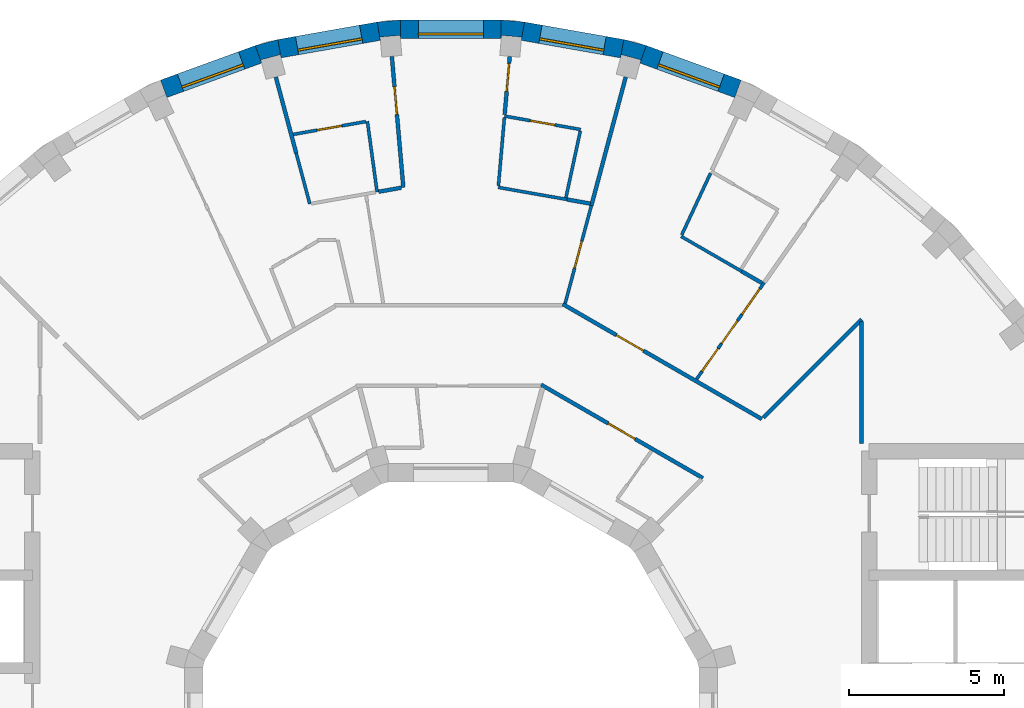
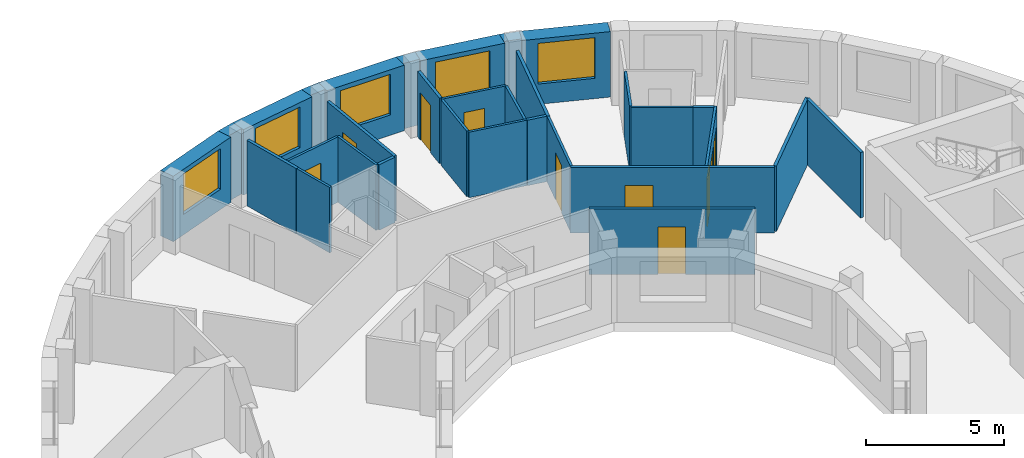
# One storey, part 8 of 10: 31 walls, 10 doors, 5 windows, 15 openings.
"""IFC4 building model written with IfcOpenShell, lengths in metres."""

from ifc_helpers import new_model, si_unit, direction, frame, frame_2d, origin, place, context, subcontext, project, spatial, polyline, rectangle, outline, extrude, material, layer, layer_set, type_object, element, fill, save


model = new_model("IFC4")

# Units and contexts
model_context = context("Model", 3, precision=1e-05, world=origin(), true_north=direction((0.0, 1.0)))
body_context = subcontext(model_context, "Body", "Model", "MODEL_VIEW")
ifc_project = project(units=[si_unit("LENGTHUNIT", "METRE"), si_unit("AREAUNIT", "SQUARE_METRE"), si_unit("VOLUMEUNIT", "CUBIC_METRE"), si_unit("PLANEANGLEUNIT", "RADIAN"), si_unit("MASSUNIT", "GRAM", prefix="KILO")], contexts=[model_context])

# Site, building, storey
site_placement = place(None, origin())
site = spatial("IfcSite", under=ifc_project, at=site_placement, CompositionType="ELEMENT")
building_placement = place(site_placement, origin())
building = spatial("IfcBuilding", under=site, at=building_placement, Name="Saqina Gate Tower", CompositionType="ELEMENT")
storey_placement = place(building_placement, frame((0.0, 0.0, 249.5)))
storey = spatial("IfcBuildingStorey", under=building, at=storey_placement, Name="L71", CompositionType="ELEMENT", Elevation=249.5)

# Walls
ifc_material_1 = material(Name="Brick masonry (buff)", Category="masonry")
wall_type_1 = type_object("IfcWallType", Name="BRICK PIER COPING BUFF", PredefinedType="SOLIDWALL", material=ifc_material_1)
wall_1_placement = place(storey_placement, origin())
element("IfcWall", 1, at=wall_1_placement, inside=storey, type_object=wall_type_1, Name="Pier cap L71 column 8", PredefinedType="SOLIDWALL", context=body_context, shape_type="SweptSolid", body=[
    extrude(outline(polyline([(5.579833984375, 22.281982421875), (5.4755859375, 21.691162109375), (5.5029296875, 21.793212890625), (6.130859375, 21.625), (6.103515625, 21.52294921875), (6.30859375, 22.0869140625), (5.579833984375, 22.281982421875)])), origin(), (0.0, 0.0, 1.0), 2.89990234375),
])
wall_2_placement = place(storey_placement, origin())
element("IfcWall", 2, at=wall_2_placement, inside=storey, type_object=wall_type_1, Name="Pier cap L71 column 9", PredefinedType="SOLIDWALL", context=body_context, shape_type="SweptSolid", body=[
    extrude(outline(polyline([(2.377685546875, 22.8466796875), (1.625732421875, 22.91259765625), (1.625732421875, 22.3125), (1.635009765625, 22.417724609375), (2.28271484375, 22.361083984375), (2.2734375, 22.255859375), (2.377685546875, 22.8466796875)])), origin(), (0.0, 0.0, 1.0), 2.89990234375),
])
wall_3_placement = place(storey_placement, origin())
element("IfcWall", 3, at=wall_3_placement, inside=storey, type_object=wall_type_1, Name="Pier cap L71 column 10", PredefinedType="SOLIDWALL", context=body_context, shape_type="SweptSolid", body=[
    extrude(outline(polyline([(-1.625732421875, 22.91259765625), (-2.377685546875, 22.8466796875), (-2.2734375, 22.255859375), (-2.28271484375, 22.361083984375), (-1.635009765625, 22.417724609375), (-1.625732421875, 22.3125), (-1.625732421875, 22.91259765625)])), origin(), (0.0, 0.0, 1.0), 2.89990234375),
])
wall_4_placement = place(storey_placement, origin())
element("IfcWall", 4, at=wall_4_placement, inside=storey, type_object=wall_type_1, Name="Pier cap L71 column 11", PredefinedType="SOLIDWALL", context=body_context, shape_type="SweptSolid", body=[
    extrude(outline(polyline([(-6.30859375, 22.0869140625), (-6.103515625, 21.52294921875), (-6.130859375, 21.625), (-5.5029296875, 21.793212890625), (-5.4755859375, 21.691162109375), (-5.579833984375, 22.281982421875), (-6.30859375, 22.0869140625)])), origin(), (0.0, 0.0, 1.0), 2.89990234375),
])

# Wall, opening, window
ifc_material_2 = material(Name="Brick masonry (buff)", Category="masonry")
ifc_layer_1 = layer(ifc_material_2, 0.60009765625)
ifc_layer_set_1 = layer_set([ifc_layer_1], Name="FW-BRICK-BUFF")
wall_type_2 = type_object("IfcWallType", Name="FW-BRICK-BUFF", PredefinedType="SOLIDWALL", material=ifc_layer_set_1)
wall_5_placement = place(storey_placement, frame((9.26171875, 20.692626953125, 0.0), z_axis=(0.0, 0.0, 1.0), x_axis=(-0.939679383794, 0.342056509473, 0.0)))
wall_5 = element("IfcWall", 5, at=wall_5_placement, inside=storey, type_object=wall_type_2, Name="Facade wall L71 facet 7", PredefinedType="SOLIDWALL", context=body_context, shape_type="SweptSolid", body=[
    extrude(rectangle(XDim=3.251708984375, YDim=0.60009765625, at=frame_2d((1.6259765625, 0.0))), origin(), (0.0, 0.0, 1.0), 2.89990234375),
])
opening_1_placement = place(wall_5_placement, frame((0.57568359375, 0.0, 0.89990234375)))
opening_1 = element("IfcOpeningElement", 6, at=opening_1_placement, cuts=wall_5, Name="Opening G21-W05", PredefinedType="OPENING", context=body_context, shape_type="SweptSolid", body=[
    extrude(rectangle(XDim=2.10009765625, YDim=1.800048828125, at=frame_2d((1.050048828125, 0.89990234375))), frame((0.0, 0.31201171875, 0.0), z_axis=(0.0, -1.0, 0.0), x_axis=(1.0, 0.0, 0.0)), (0.0, 0.0, 1.0), 0.6240234375),
])
ifc_material_3 = material(Name="Aluminium glazing", Category="aluminium")
window_type = type_object("IfcWindowType", Name="WN-D", PartitioningType="SINGLE_PANEL", PredefinedType="WINDOW", material=ifc_material_3)
window_1_placement = place(opening_1_placement, origin())
window_1 = element("IfcWindow", 7, at=window_1_placement, inside=storey, type_object=window_type, Name="Window L71 facet 7", OverallHeight=1.800048828125, OverallWidth=2.10009765625, PartitioningType="SINGLE_PANEL", PredefinedType="WINDOW", context=body_context, shape_type="SweptSolid", body=[
    extrude(rectangle(XDim=2.10009765625, YDim=1.800048828125, at=frame_2d((1.050048828125, 0.89990234375))), frame((0.0, 0.179931640625, 0.0), z_axis=(0.0, -1.0, 0.0), x_axis=(1.0, 0.0, 0.0)), (0.0, 0.0, 1.0), 0.06005859375),
])
fill(opening_1, window_1)

wall_6_placement = place(storey_placement, frame((5.52783203125, 21.986572265625, 0.0), z_axis=(0.0, 0.0, 1.0), x_axis=(-0.984806225186, 0.173656842178, 0.0)))
wall_6 = element("IfcWall", 8, at=wall_6_placement, inside=storey, type_object=wall_type_2, Name="Facade wall L71 facet 8", PredefinedType="SOLIDWALL", context=body_context, shape_type="SweptSolid", body=[
    extrude(rectangle(XDim=3.251708984375, YDim=0.60009765625, at=frame_2d((1.6259765625, 0.0))), origin(), (0.0, 0.0, 1.0), 2.89990234375),
])
opening_2_placement = place(wall_6_placement, frame((0.57568359375, 0.0, 0.89990234375)))
opening_2 = element("IfcOpeningElement", 9, at=opening_2_placement, cuts=wall_6, Name="Opening G21-W06", PredefinedType="OPENING", context=body_context, shape_type="SweptSolid", body=[
    extrude(rectangle(XDim=2.10009765625, YDim=1.800048828125, at=frame_2d((1.050048828125, 0.89990234375))), frame((0.0, 0.31201171875, 0.0), z_axis=(0.0, -1.0, 0.0), x_axis=(1.0, 0.0, 0.0)), (0.0, 0.0, 1.0), 0.6240234375),
])
window_2_placement = place(opening_2_placement, origin())
window_2 = element("IfcWindow", 10, at=window_2_placement, inside=storey, type_object=window_type, Name="Window L71 facet 8", OverallHeight=1.800048828125, OverallWidth=2.10009765625, PartitioningType="SINGLE_PANEL", PredefinedType="WINDOW", context=body_context, shape_type="SweptSolid", body=[
    extrude(rectangle(XDim=2.10009765625, YDim=1.800048828125, at=frame_2d((1.050048828125, 0.89990234375))), frame((0.0, 0.179931640625, 0.0), z_axis=(0.0, -1.0, 0.0), x_axis=(1.0, 0.0, 0.0)), (0.0, 0.0, 1.0), 0.06005859375),
])
fill(opening_2, window_2)

wall_7_placement = place(storey_placement, frame((1.625732421875, 22.612548828125, 0.0), z_axis=(0.0, 0.0, 1.0), x_axis=(-1.0, 0.0, 0.0)))
wall_7 = element("IfcWall", 11, at=wall_7_placement, inside=storey, type_object=wall_type_2, Name="Facade wall L71 facet 9", PredefinedType="SOLIDWALL", context=body_context, shape_type="SweptSolid", body=[
    extrude(rectangle(XDim=3.25146484375, YDim=0.60009765625, at=frame_2d((1.625732421875, 0.0))), origin(), (0.0, 0.0, 1.0), 2.89990234375),
])
opening_3_placement = place(wall_7_placement, frame((0.57568359375, 0.0, 0.89990234375)))
opening_3 = element("IfcOpeningElement", 12, at=opening_3_placement, cuts=wall_7, Name="Opening G21-W07", PredefinedType="OPENING", context=body_context, shape_type="SweptSolid", body=[
    extrude(rectangle(XDim=2.10009765625, YDim=1.800048828125, at=frame_2d((1.050048828125, 0.89990234375))), frame((0.0, 0.31201171875, 0.0), z_axis=(0.0, -1.0, 0.0), x_axis=(1.0, 0.0, 0.0)), (0.0, 0.0, 1.0), 0.6240234375),
])
window_3_placement = place(opening_3_placement, origin())
window_3 = element("IfcWindow", 13, at=window_3_placement, inside=storey, type_object=window_type, Name="Window L71 facet 9", OverallHeight=1.800048828125, OverallWidth=2.10009765625, PartitioningType="SINGLE_PANEL", PredefinedType="WINDOW", context=body_context, shape_type="SweptSolid", body=[
    extrude(rectangle(XDim=2.10009765625, YDim=1.800048828125, at=frame_2d((1.050048828125, 0.89990234375))), frame((0.0, 0.179931640625, 0.0), z_axis=(0.0, -1.0, 0.0), x_axis=(1.0, 0.0, 0.0)), (0.0, 0.0, 1.0), 0.06005859375),
])
fill(opening_3, window_3)

wall_8_placement = place(storey_placement, frame((-2.325439453125, 22.55126953125, 0.0), z_axis=(0.0, 0.0, 1.0), x_axis=(-0.984806225186, -0.173656842178, 0.0)))
wall_8 = element("IfcWall", 14, at=wall_8_placement, inside=storey, type_object=wall_type_2, Name="Facade wall L71 facet 10", PredefinedType="SOLIDWALL", context=body_context, shape_type="SweptSolid", body=[
    extrude(rectangle(XDim=3.251708984375, YDim=0.60009765625, at=frame_2d((1.6259765625, 0.0))), origin(), (0.0, 0.0, 1.0), 2.89990234375),
])
opening_4_placement = place(wall_8_placement, frame((0.57568359375, 0.0, 0.89990234375)))
opening_4 = element("IfcOpeningElement", 15, at=opening_4_placement, cuts=wall_8, Name="Opening G21-W08", PredefinedType="OPENING", context=body_context, shape_type="SweptSolid", body=[
    extrude(rectangle(XDim=2.10009765625, YDim=1.800048828125, at=frame_2d((1.050048828125, 0.89990234375))), frame((0.0, 0.31201171875, 0.0), z_axis=(0.0, -1.0, 0.0), x_axis=(1.0, 0.0, 0.0)), (0.0, 0.0, 1.0), 0.6240234375),
])
window_4_placement = place(opening_4_placement, origin())
window_4 = element("IfcWindow", 16, at=window_4_placement, inside=storey, type_object=window_type, Name="Window L71 facet 10", OverallHeight=1.800048828125, OverallWidth=2.10009765625, PartitioningType="SINGLE_PANEL", PredefinedType="WINDOW", context=body_context, shape_type="SweptSolid", body=[
    extrude(rectangle(XDim=2.10009765625, YDim=1.800048828125, at=frame_2d((1.050048828125, 0.89990234375))), frame((0.0, 0.179931640625, 0.0), z_axis=(0.0, -1.0, 0.0), x_axis=(1.0, 0.0, 0.0)), (0.0, 0.0, 1.0), 0.06005859375),
])
fill(opening_4, window_4)

wall_9_placement = place(storey_placement, frame((-6.2060546875, 21.804931640625, 0.0), z_axis=(0.0, 0.0, 1.0), x_axis=(-0.939679383794, -0.342056509473, 0.0)))
wall_9 = element("IfcWall", 17, at=wall_9_placement, inside=storey, type_object=wall_type_2, Name="Facade wall L71 facet 11", PredefinedType="SOLIDWALL", context=body_context, shape_type="SweptSolid", body=[
    extrude(rectangle(XDim=3.251708984375, YDim=0.60009765625, at=frame_2d((1.6259765625, 0.0))), origin(), (0.0, 0.0, 1.0), 2.89990234375),
])
opening_5_placement = place(wall_9_placement, frame((0.57568359375, 0.0, 0.89990234375)))
opening_5 = element("IfcOpeningElement", 18, at=opening_5_placement, cuts=wall_9, Name="Opening G21-W09", PredefinedType="OPENING", context=body_context, shape_type="SweptSolid", body=[
    extrude(rectangle(XDim=2.10009765625, YDim=1.800048828125, at=frame_2d((1.050048828125, 0.89990234375))), frame((0.0, 0.31201171875, 0.0), z_axis=(0.0, -1.0, 0.0), x_axis=(1.0, 0.0, 0.0)), (0.0, 0.0, 1.0), 0.6240234375),
])
window_5_placement = place(opening_5_placement, origin())
window_5 = element("IfcWindow", 19, at=window_5_placement, inside=storey, type_object=window_type, Name="Window L71 facet 11", OverallHeight=1.800048828125, OverallWidth=2.10009765625, PartitioningType="SINGLE_PANEL", PredefinedType="WINDOW", context=body_context, shape_type="SweptSolid", body=[
    extrude(rectangle(XDim=2.10009765625, YDim=1.800048828125, at=frame_2d((1.050048828125, 0.89990234375))), frame((0.0, 0.179931640625, 0.0), z_axis=(0.0, -1.0, 0.0), x_axis=(1.0, 0.0, 0.0)), (0.0, 0.0, 1.0), 0.06005859375),
])
fill(opening_5, window_5)

# Walls
ifc_material_4 = material(Name="Gypsum board on steel studs, 100 mm", Category="steel")
ifc_layer_2 = layer(ifc_material_4, 0.10009765625)
ifc_layer_set_2 = layer_set([ifc_layer_2], Name="PARTITION 100")
wall_type_3 = type_object("IfcWallType", Name="PARTITION 100", PredefinedType="PARTITIONING", material=ifc_layer_set_2)
wall_10_placement = place(storey_placement, frame((-2.69189453125, 19.64404296875, 0.0), z_axis=(0.0, 0.0, 1.0), x_axis=(0.135941246579, -0.990716900774, 0.0)))
element("IfcWall", 20, at=wall_10_placement, inside=storey, type_object=wall_type_3, Name="PARTITION PW3-03", PredefinedType="PARTITIONING", context=body_context, shape_type="SweptSolid", body=[
    extrude(rectangle(XDim=2.302490234375, YDim=0.10009765625, at=frame_2d((1.1513671875, 0.0))), origin(), (0.0, 0.0, 1.0), 2.89990234375),
])
wall_11_placement = place(storey_placement, frame((-4.9892578125, 18.62060546875, 0.0), z_axis=(0.0, 0.0, 1.0), x_axis=(0.258601958208, -0.965983968403, 0.0)))
element("IfcWall", 21, at=wall_11_placement, inside=storey, type_object=wall_type_3, Name="PARTITION PW3-06", PredefinedType="PARTITIONING", context=body_context, shape_type="SweptSolid", body=[
    extrude(rectangle(XDim=1.698486328125, YDim=0.10009765625, at=frame_2d((0.84912109375, 0.0))), origin(), (0.0, 0.0, 1.0), 2.89990234375),
])
wall_12_placement = place(storey_placement, frame((7.430908203125, 15.930908203125, 0.0), z_axis=(0.0, 0.0, 1.0), x_axis=(0.866046587367, -0.499963307164, 0.0)))
element("IfcWall", 22, at=wall_12_placement, inside=storey, type_object=wall_type_3, Name="PARTITION PW3-18", PredefinedType="PARTITIONING", context=body_context, shape_type="SweptSolid", body=[
    extrude(rectangle(XDim=2.252197265625, YDim=0.10009765625, at=frame_2d((1.1259765625, 0.0))), origin(), (0.0, 0.0, 1.0), 2.89990234375),
])
wall_13_placement = place(storey_placement, frame((1.531982421875, 17.511962890625, 0.0), z_axis=(0.0, 0.0, 1.0), x_axis=(0.984872829854, -0.173278703295, 0.0)))
element("IfcWall", 23, at=wall_13_placement, inside=storey, type_object=wall_type_3, Name="PARTITION PW3-22", PredefinedType="PARTITIONING", context=body_context, shape_type="SweptSolid", body=[
    extrude(rectangle(XDim=2.25439453125, YDim=0.10009765625, at=frame_2d((1.127197265625, 0.0))), origin(), (0.0, 0.0, 1.0), 2.89990234375),
])

# Wall, opening, door
wall_14_placement = place(storey_placement, frame((1.73291015625, 19.81201171875, 0.0), z_axis=(0.0, 0.0, 1.0), x_axis=(0.984805232191, -0.17366247335, 0.0)))
wall_14 = element("IfcWall", 24, at=wall_14_placement, inside=storey, type_object=wall_type_3, Name="PARTITION PW3-23", PredefinedType="PARTITIONING", context=body_context, shape_type="SweptSolid", body=[
    extrude(rectangle(XDim=2.493896484375, YDim=0.10009765625, at=frame_2d((1.2470703125, 0.0))), origin(), (0.0, 0.0, 1.0), 2.89990234375),
])
opening_6_placement = place(wall_14_placement, frame((0.846923828125, 0.0, 0.0)))
opening_6 = element("IfcOpeningElement", 25, at=opening_6_placement, cuts=wall_14, Name="Opening G21-D10", PredefinedType="OPENING", context=body_context, shape_type="SweptSolid", body=[
    extrude(rectangle(XDim=0.800048828125, YDim=2.10009765625, at=frame_2d((0.39990234375, 1.050048828125))), frame((0.0, 0.06201171875, 0.0), z_axis=(0.0, -1.0, 0.0), x_axis=(1.0, 0.0, 0.0)), (0.0, 0.0, 1.0), 0.1240234375),
])
ifc_material_5 = material(Name="Timber door leaf, 800 mm", Category="wood")
door_type_1 = type_object("IfcDoorType", Name="DOOR 800 TIMBER", OperationType="SINGLE_SWING_LEFT", PredefinedType="DOOR", material=ifc_material_5)
door_1_placement = place(opening_6_placement, origin())
door_1 = element("IfcDoor", 26, at=door_1_placement, inside=storey, type_object=door_type_1, Name="DOOR G21-D10", OperationType="SINGLE_SWING_LEFT", OverallHeight=2.10009765625, OverallWidth=0.800048828125, PredefinedType="DOOR", context=body_context, shape_type="SweptSolid", body=[
    extrude(rectangle(XDim=0.800048828125, YDim=2.10009765625, at=frame_2d((0.39990234375, 1.050048828125))), frame((0.0, 0.02490234375, 0.0), z_axis=(0.0, -1.0, 0.0), x_axis=(1.0, 0.0, 0.0)), (0.0, 0.0, 1.0), 0.050048828125),
])
fill(opening_6, door_1)

wall_15_placement = place(storey_placement, frame((-5.08544921875, 19.220947265625, 0.0), z_axis=(0.0, 0.0, 1.0), x_axis=(0.984739131799, 0.174036899257, 0.0)))
wall_15 = element("IfcWall", 27, at=wall_15_placement, inside=storey, type_object=wall_type_3, Name="PARTITION PW3-31", PredefinedType="PARTITIONING", context=body_context, shape_type="SweptSolid", body=[
    extrude(rectangle(XDim=2.380615234375, YDim=0.10009765625, at=frame_2d((1.1904296875, 0.0))), origin(), (0.0, 0.0, 1.0), 2.89990234375),
])
opening_7_placement = place(wall_15_placement, frame((0.783935546875, 0.0, 0.0)))
opening_7 = element("IfcOpeningElement", 28, at=opening_7_placement, cuts=wall_15, Name="Opening G21-D16", PredefinedType="OPENING", context=body_context, shape_type="SweptSolid", body=[
    extrude(rectangle(XDim=0.800048828125, YDim=2.10009765625, at=frame_2d((0.39990234375, 1.050048828125))), frame((0.0, 0.06201171875, 0.0), z_axis=(0.0, -1.0, 0.0), x_axis=(1.0, 0.0, 0.0)), (0.0, 0.0, 1.0), 0.1240234375),
])
door_2_placement = place(opening_7_placement, origin())
door_2 = element("IfcDoor", 29, at=door_2_placement, inside=storey, type_object=door_type_1, Name="DOOR G21-D16", OperationType="SINGLE_SWING_LEFT", OverallHeight=2.10009765625, OverallWidth=0.800048828125, PredefinedType="DOOR", context=body_context, shape_type="SweptSolid", body=[
    extrude(rectangle(XDim=0.800048828125, YDim=2.10009765625, at=frame_2d((0.39990234375, 1.050048828125))), frame((0.0, 0.02490234375, 0.0), z_axis=(0.0, -1.0, 0.0), x_axis=(1.0, 0.0, 0.0)), (0.0, 0.0, 1.0), 0.050048828125),
])
fill(opening_7, door_2)

# Wall, openings, doors
wall_16_placement = place(storey_placement, frame((7.93017578125, 11.3251953125, 0.0), z_axis=(0.0, 0.0, 1.0), x_axis=(0.57357434303, 0.819153510044, 0.0)))
wall_16 = element("IfcWall", 30, at=wall_16_placement, inside=storey, type_object=wall_type_3, Name="PARTITION PW3-37", PredefinedType="PARTITIONING", context=body_context, shape_type="SweptSolid", body=[
    extrude(rectangle(XDim=3.803466796875, YDim=0.10009765625, at=frame_2d((1.90185546875, 0.0))), origin(), (0.0, 0.0, 1.0), 2.89990234375),
])
opening_8_placement = place(wall_16_placement, frame((0.30615234375, 0.0, 0.0)))
opening_8 = element("IfcOpeningElement", 31, at=opening_8_placement, cuts=wall_16, Name="Opening G21-D02", PredefinedType="OPENING", context=body_context, shape_type="SweptSolid", body=[
    extrude(rectangle(XDim=0.89990234375, YDim=2.10009765625, at=frame_2d((0.449951171875, 1.050048828125))), frame((0.0, 0.06201171875, 0.0), z_axis=(0.0, -1.0, 0.0), x_axis=(1.0, 0.0, 0.0)), (0.0, 0.0, 1.0), 0.1240234375),
])
opening_9_placement = place(wall_16_placement, frame((1.406005859375, 0.0, 0.0)))
opening_9 = element("IfcOpeningElement", 32, at=opening_9_placement, cuts=wall_16, Name="Opening G21-D03", PredefinedType="OPENING", context=body_context, shape_type="SweptSolid", body=[
    extrude(rectangle(XDim=0.89990234375, YDim=2.10009765625, at=frame_2d((0.449951171875, 1.050048828125))), frame((0.0, 0.06201171875, 0.0), z_axis=(0.0, -1.0, 0.0), x_axis=(1.0, 0.0, 0.0)), (0.0, 0.0, 1.0), 0.1240234375),
])
opening_10_placement = place(wall_16_placement, frame((2.55615234375, 0.0, 0.0)))
opening_10 = element("IfcOpeningElement", 33, at=opening_10_placement, cuts=wall_16, Name="Opening G21-D04", PredefinedType="OPENING", context=body_context, shape_type="SweptSolid", body=[
    extrude(rectangle(XDim=1.0, YDim=2.10009765625, at=frame_2d((0.5, 1.050048828125))), frame((0.0, 0.06201171875, 0.0), z_axis=(0.0, -1.0, 0.0), x_axis=(1.0, 0.0, 0.0)), (0.0, 0.0, 1.0), 0.1240234375),
])
ifc_material_6 = material(Name="Timber door leaf, 1000 mm", Category="wood")
door_type_2 = type_object("IfcDoorType", Name="DOOR 1000 TIMBER", OperationType="SINGLE_SWING_LEFT", PredefinedType="DOOR", material=ifc_material_6)
door_3_placement = place(opening_10_placement, frame((1.0, 0.0, 0.0), z_axis=(0.0, 0.0, 1.0), x_axis=(-1.0, 0.0, 0.0)))
door_3 = element("IfcDoor", 34, at=door_3_placement, inside=storey, type_object=door_type_2, Name="DOOR G21-D04", OperationType="SINGLE_SWING_LEFT", OverallHeight=2.10009765625, OverallWidth=1.0, PredefinedType="DOOR", context=body_context, shape_type="SweptSolid", body=[
    extrude(rectangle(XDim=1.0, YDim=2.10009765625, at=frame_2d((0.5, 1.050048828125))), frame((0.0, 0.02490234375, 0.0), z_axis=(0.0, -1.0, 0.0), x_axis=(1.0, 0.0, 0.0)), (0.0, 0.0, 1.0), 0.050048828125),
])
fill(opening_10, door_3)
ifc_material_7 = material(Name="Timber door leaf, 900 mm", Category="wood")
door_type_3 = type_object("IfcDoorType", Name="DOOR 900 TIMBER", OperationType="SINGLE_SWING_LEFT", PredefinedType="DOOR", material=ifc_material_7)
door_4_placement = place(opening_8_placement, frame((0.89990234375, 0.0, 0.0), z_axis=(0.0, 0.0, 1.0), x_axis=(-1.0, 0.0, 0.0)))
door_4 = element("IfcDoor", 35, at=door_4_placement, inside=storey, type_object=door_type_3, Name="DOOR G21-D02", OperationType="SINGLE_SWING_RIGHT", OverallHeight=2.10009765625, OverallWidth=0.89990234375, PredefinedType="DOOR", context=body_context, shape_type="SweptSolid", body=[
    extrude(rectangle(XDim=0.89990234375, YDim=2.10009765625, at=frame_2d((0.449951171875, 1.050048828125))), frame((0.0, 0.02490234375, 0.0), z_axis=(0.0, -1.0, 0.0), x_axis=(1.0, 0.0, 0.0)), (0.0, 0.0, 1.0), 0.050048828125),
])
fill(opening_8, door_4)
door_5_placement = place(opening_9_placement, frame((0.89990234375, 0.0, 0.0), z_axis=(0.0, 0.0, 1.0), x_axis=(-1.0, 0.0, 0.0)))
door_5 = element("IfcDoor", 36, at=door_5_placement, inside=storey, type_object=door_type_3, Name="DOOR G21-D03", OperationType="SINGLE_SWING_RIGHT", OverallHeight=2.10009765625, OverallWidth=0.89990234375, PredefinedType="DOOR", context=body_context, shape_type="SweptSolid", body=[
    extrude(rectangle(XDim=0.89990234375, YDim=2.10009765625, at=frame_2d((0.449951171875, 1.050048828125))), frame((0.0, 0.02490234375, 0.0), z_axis=(0.0, -1.0, 0.0), x_axis=(1.0, 0.0, 0.0)), (0.0, 0.0, 1.0), 0.050048828125),
])
fill(opening_9, door_5)

# Wall
wall_17_placement = place(storey_placement, frame((7.4501953125, 15.977294921875, 0.0), z_axis=(0.0, 0.0, 1.0), x_axis=(0.422642091252, 0.906296674772, 0.0)))
element("IfcWall", 37, at=wall_17_placement, inside=storey, type_object=wall_type_3, Name="PARTITION PW3-41", PredefinedType="PARTITIONING", context=body_context, shape_type="SweptSolid", body=[
    extrude(rectangle(XDim=2.19677734375, YDim=0.10009765625, at=frame_2d((1.098388671875, 0.0))), origin(), (0.0, 0.0, 1.0), 2.89990234375),
])

# Wall, opening, door
wall_18_placement = place(storey_placement, frame((3.690185546875, 13.770263671875, 0.0), z_axis=(0.0, 0.0, 1.0), x_axis=(0.258711132493, 0.965954734925, 0.0)))
wall_18 = element("IfcWall", 38, at=wall_18_placement, inside=storey, type_object=wall_type_3, Name="PARTITION PW3-43", PredefinedType="PARTITIONING", context=body_context, shape_type="SweptSolid", body=[
    extrude(rectangle(XDim=3.260498046875, YDim=0.10009765625, at=frame_2d((1.63037109375, 0.0))), origin(), (0.0, 0.0, 1.0), 2.89990234375),
])
opening_11_placement = place(wall_18_placement, frame((1.1806640625, 0.0, 0.0)))
opening_11 = element("IfcOpeningElement", 39, at=opening_11_placement, cuts=wall_18, Name="Opening G21-D09", PredefinedType="OPENING", context=body_context, shape_type="SweptSolid", body=[
    extrude(rectangle(XDim=0.89990234375, YDim=2.10009765625, at=frame_2d((0.449951171875, 1.050048828125))), frame((0.0, 0.06201171875, 0.0), z_axis=(0.0, -1.0, 0.0), x_axis=(1.0, 0.0, 0.0)), (0.0, 0.0, 1.0), 0.1240234375),
])
door_6_placement = place(opening_11_placement, origin())
door_6 = element("IfcDoor", 40, at=door_6_placement, inside=storey, type_object=door_type_3, Name="DOOR G21-D09", OperationType="SINGLE_SWING_RIGHT", OverallHeight=2.10009765625, OverallWidth=0.89990234375, PredefinedType="DOOR", context=body_context, shape_type="SweptSolid", body=[
    extrude(rectangle(XDim=0.89990234375, YDim=2.10009765625, at=frame_2d((0.449951171875, 1.050048828125))), frame((0.0, 0.02490234375, 0.0), z_axis=(0.0, -1.0, 0.0), x_axis=(1.0, 0.0, 0.0)), (0.0, 0.0, 1.0), 0.050048828125),
])
fill(opening_11, door_6)

# Walls
wall_19_placement = place(storey_placement, frame((3.713623046875, 17.178955078125, 0.0), z_axis=(0.0, 0.0, 1.0), x_axis=(0.21121821869, 0.977438931133, 0.0)))
element("IfcWall", 41, at=wall_19_placement, inside=storey, type_object=wall_type_3, Name="PARTITION PW3-46", PredefinedType="PARTITIONING", context=body_context, shape_type="SweptSolid", body=[
    extrude(rectangle(XDim=2.20068359375, YDim=0.10009765625, at=frame_2d((1.100341796875, 0.0))), origin(), (0.0, 0.0, 1.0), 2.89990234375),
])
wall_20_placement = place(storey_placement, frame((1.536376953125, 17.562744140625, 0.0), z_axis=(0.0, 0.0, 1.0), x_axis=(0.087135400637, 0.996196477587, 0.0)))
element("IfcWall", 42, at=wall_20_placement, inside=storey, type_object=wall_type_3, Name="PARTITION PW3-50", PredefinedType="PARTITIONING", context=body_context, shape_type="SweptSolid", body=[
    extrude(rectangle(XDim=2.207763671875, YDim=0.10009765625, at=frame_2d((1.10400390625, 0.0))), origin(), (0.0, 0.0, 1.0), 2.89990234375),
])

# Wall, opening, door
ifc_material_8 = material(Name="Gypsum board on steel studs, 125 mm, fire rated", Category="steel")
ifc_layer_3 = layer(ifc_material_8, 0.125)
ifc_layer_set_3 = layer_set([ifc_layer_3], Name="PARTITION EI 30 125")
wall_type_4 = type_object("IfcWallType", Name="PARTITION EI 30 125", PredefinedType="PARTITIONING", material=ifc_layer_set_3)
wall_21_placement = place(storey_placement, frame((-1.9013671875, 21.73193359375, 0.0), z_axis=(0.0, 0.0, 1.0), x_axis=(0.087219152914, -0.996189148387, 0.0)))
wall_21 = element("IfcWall", 43, at=wall_21_placement, inside=storey, type_object=wall_type_4, Name="PARTITION PW1-01", PredefinedType="PARTITIONING", context=body_context, shape_type="SweptSolid", body=[
    extrude(rectangle(XDim=4.235107421875, YDim=0.125, at=frame_2d((2.11767578125, 0.0))), origin(), (0.0, 0.0, 1.0), 2.89990234375),
])
opening_12_placement = place(wall_21_placement, frame((0.97607421875, 0.0, 0.0)))
opening_12 = element("IfcOpeningElement", 44, at=opening_12_placement, cuts=wall_21, Name="Opening G21-D13", PredefinedType="OPENING", context=body_context, shape_type="SweptSolid", body=[
    extrude(rectangle(XDim=0.89990234375, YDim=2.10009765625, at=frame_2d((0.449951171875, 1.050048828125))), frame((0.0, 0.074462890625, 0.0), z_axis=(0.0, -1.0, 0.0), x_axis=(1.0, 0.0, 0.0)), (0.0, 0.0, 1.0), 0.14892578125),
])
ifc_material_9 = material(Name="Fire door leaf EI 30, 900 mm")
door_type_4 = type_object("IfcDoorType", Name="DOOR 900 EI 30", OperationType="SINGLE_SWING_LEFT", PredefinedType="DOOR", material=ifc_material_9)
door_7_placement = place(opening_12_placement, origin())
door_7 = element("IfcDoor", 45, at=door_7_placement, inside=storey, type_object=door_type_4, Name="DOOR G21-D13", OperationType="SINGLE_SWING_LEFT", OverallHeight=2.10009765625, OverallWidth=0.89990234375, PredefinedType="DOOR", context=body_context, shape_type="SweptSolid", body=[
    extrude(rectangle(XDim=0.89990234375, YDim=2.10009765625, at=frame_2d((0.449951171875, 1.050048828125))), frame((0.0, 0.02490234375, 0.0), z_axis=(0.0, -1.0, 0.0), x_axis=(1.0, 0.0, 0.0)), (0.0, 0.0, 1.0), 0.050048828125),
])
fill(opening_12, door_7)

# Wall
wall_22_placement = place(storey_placement, frame((-5.64599609375, 21.07177734375, 0.0), z_axis=(0.0, 0.0, 1.0), x_axis=(0.258914025253, -0.965900371429, 0.0)))
element("IfcWall", 46, at=wall_22_placement, inside=storey, type_object=wall_type_4, Name="PARTITION PW1-03", PredefinedType="PARTITIONING", context=body_context, shape_type="SweptSolid", body=[
    extrude(rectangle(XDim=2.537353515625, YDim=0.125, at=frame_2d((1.2685546875, 0.0))), origin(), (0.0, 0.0, 1.0), 2.89990234375),
])

# Wall, opening, door
wall_23_placement = place(storey_placement, frame((2.91455078125, 11.14599609375, 0.0), z_axis=(0.0, 0.0, 1.0), x_axis=(0.866022982797, -0.500004193249, 0.0)))
wall_23 = element("IfcWall", 47, at=wall_23_placement, inside=storey, type_object=wall_type_4, Name="PARTITION PW1-11", PredefinedType="PARTITIONING", context=body_context, shape_type="SweptSolid", body=[
    extrude(rectangle(XDim=6.02587890625, YDim=0.125, at=frame_2d((3.012939453125, 0.0))), origin(), (0.0, 0.0, 1.0), 2.89990234375),
])
opening_13_placement = place(wall_23_placement, frame((2.498291015625, 0.0, 0.0)))
opening_13 = element("IfcOpeningElement", 48, at=opening_13_placement, cuts=wall_23, Name="Opening G21-D06", PredefinedType="OPENING", context=body_context, shape_type="SweptSolid", body=[
    extrude(rectangle(XDim=1.0, YDim=2.10009765625, at=frame_2d((0.5, 1.050048828125))), frame((0.0, 0.074462890625, 0.0), z_axis=(0.0, -1.0, 0.0), x_axis=(1.0, 0.0, 0.0)), (0.0, 0.0, 1.0), 0.14892578125),
])
ifc_material_10 = material(Name="Fire door leaf EI 30, 1000 mm")
door_type_5 = type_object("IfcDoorType", Name="DOOR 1000 EI 30", OperationType="SINGLE_SWING_LEFT", PredefinedType="DOOR", material=ifc_material_10)
door_8_placement = place(opening_13_placement, origin())
door_8 = element("IfcDoor", 49, at=door_8_placement, inside=storey, type_object=door_type_5, Name="DOOR G21-D06", OperationType="SINGLE_SWING_LEFT", OverallHeight=2.10009765625, OverallWidth=1.0, PredefinedType="DOOR", context=body_context, shape_type="SweptSolid", body=[
    extrude(rectangle(XDim=1.0, YDim=2.10009765625, at=frame_2d((0.5, 1.050048828125))), frame((0.0, 0.02490234375, 0.0), z_axis=(0.0, -1.0, 0.0), x_axis=(1.0, 0.0, 0.0)), (0.0, 0.0, 1.0), 0.050048828125),
])
fill(opening_13, door_8)

wall_24_placement = place(storey_placement, frame((3.610595703125, 13.74658203125, 0.0), z_axis=(0.0, 0.0, 1.0), x_axis=(0.865964194244, -0.500106003051, 0.0)))
wall_24 = element("IfcWall", 50, at=wall_24_placement, inside=storey, type_object=wall_type_4, Name="PARTITION PW1-12", PredefinedType="PARTITIONING", context=body_context, shape_type="SweptSolid", body=[
    extrude(rectangle(XDim=7.419921875, YDim=0.125, at=frame_2d((3.7099609375, 0.0))), origin(), (0.0, 0.0, 1.0), 2.89990234375),
])
opening_14_placement = place(wall_24_placement, frame((2.00732421875, 0.0, 0.0)))
opening_14 = element("IfcOpeningElement", 51, at=opening_14_placement, cuts=wall_24, Name="Opening G21-D08", PredefinedType="OPENING", context=body_context, shape_type="SweptSolid", body=[
    extrude(rectangle(XDim=1.0, YDim=2.10009765625, at=frame_2d((0.5, 1.050048828125))), frame((0.0, 0.074462890625, 0.0), z_axis=(0.0, -1.0, 0.0), x_axis=(1.0, 0.0, 0.0)), (0.0, 0.0, 1.0), 0.14892578125),
])
door_9_placement = place(opening_14_placement, origin())
door_9 = element("IfcDoor", 52, at=door_9_placement, inside=storey, type_object=door_type_5, Name="DOOR G21-D08", OperationType="SINGLE_SWING_LEFT", OverallHeight=2.10009765625, OverallWidth=1.0, PredefinedType="DOOR", context=body_context, shape_type="SweptSolid", body=[
    extrude(rectangle(XDim=1.0, YDim=2.10009765625, at=frame_2d((0.5, 1.050048828125))), frame((0.0, 0.02490234375, 0.0), z_axis=(0.0, -1.0, 0.0), x_axis=(1.0, 0.0, 0.0)), (0.0, 0.0, 1.0), 0.050048828125),
])
fill(opening_14, door_9)

# Walls
wall_25_placement = place(storey_placement, frame((9.38134765625, 14.804931640625, 0.0), z_axis=(0.0, 0.0, 1.0), x_axis=(0.866088799389, -0.499890179513, 0.0)))
element("IfcWall", 53, at=wall_25_placement, inside=storey, type_object=wall_type_4, Name="PARTITION PW1-13", PredefinedType="PARTITIONING", context=body_context, shape_type="SweptSolid", body=[
    extrude(rectangle(XDim=0.756103515625, YDim=0.125, at=frame_2d((0.3779296875, 0.0))), origin(), (0.0, 0.0, 1.0), 2.89990234375),
])
wall_26_placement = place(storey_placement, frame((3.752197265625, 17.12109375, 0.0), z_axis=(0.0, 0.0, 1.0), x_axis=(0.984637536595, -0.174610771512, 0.0)))
element("IfcWall", 54, at=wall_26_placement, inside=storey, type_object=wall_type_4, Name="PARTITION PW1-15", PredefinedType="PARTITIONING", context=body_context, shape_type="SweptSolid", body=[
    extrude(rectangle(XDim=0.75927734375, YDim=0.125, at=frame_2d((0.379638671875, 0.0))), origin(), (0.0, 0.0, 1.0), 2.89990234375),
])
wall_27_placement = place(storey_placement, frame((-2.329833984375, 17.37158203125, 0.0), z_axis=(0.0, 0.0, 1.0), x_axis=(0.984852515296, 0.173394126532, 0.0)))
element("IfcWall", 55, at=wall_27_placement, inside=storey, type_object=wall_type_4, Name="PARTITION PW1-22", PredefinedType="PARTITIONING", context=body_context, shape_type="SweptSolid", body=[
    extrude(rectangle(XDim=0.74755859375, YDim=0.125, at=frame_2d((0.373779296875, 0.0))), origin(), (0.0, 0.0, 1.0), 2.89990234375),
])
wall_28_placement = place(storey_placement, frame((10.080078125, 10.080078125, 0.0), z_axis=(0.0, 0.0, 1.0), x_axis=(0.707106781187, 0.707106781187, 0.0)))
element("IfcWall", 56, at=wall_28_placement, inside=storey, type_object=wall_type_4, Name="PARTITION PW1-30", PredefinedType="PARTITIONING", context=body_context, shape_type="SweptSolid", body=[
    extrude(rectangle(XDim=4.48291015625, YDim=0.125, at=frame_2d((2.241455078125, 0.0))), origin(), (0.0, 0.0, 1.0), 2.89990234375),
])
wall_29_placement = place(storey_placement, frame((4.533935546875, 16.919677734375, 0.0), z_axis=(0.0, 0.0, 1.0), x_axis=(0.258154015952, 0.966103774989, 0.0)))
element("IfcWall", 57, at=wall_29_placement, inside=storey, type_object=wall_type_4, Name="PARTITION PW1-36", PredefinedType="PARTITIONING", context=body_context, shape_type="SweptSolid", body=[
    extrude(rectangle(XDim=4.29833984375, YDim=0.125, at=frame_2d((2.149169921875, 0.0))), origin(), (0.0, 0.0, 1.0), 2.89990234375),
])

# Wall, opening, door
wall_30_placement = place(storey_placement, frame((1.7373046875, 19.86181640625, 0.0), z_axis=(0.0, 0.0, 1.0), x_axis=(0.08726374649, 0.996185243089, 0.0)))
wall_30 = element("IfcWall", 58, at=wall_30_placement, inside=storey, type_object=wall_type_4, Name="PARTITION PW1-37", PredefinedType="PARTITIONING", context=body_context, shape_type="SweptSolid", body=[
    extrude(rectangle(XDim=1.877197265625, YDim=0.125, at=frame_2d((0.9384765625, 0.0))), origin(), (0.0, 0.0, 1.0), 2.89990234375),
])
opening_15_placement = place(wall_30_placement, frame((0.7548828125, 0.0, 0.0)))
opening_15 = element("IfcOpeningElement", 59, at=opening_15_placement, cuts=wall_30, Name="Opening G21-D11", PredefinedType="OPENING", context=body_context, shape_type="SweptSolid", body=[
    extrude(rectangle(XDim=0.89990234375, YDim=2.10009765625, at=frame_2d((0.449951171875, 1.050048828125))), frame((0.0, 0.074462890625, 0.0), z_axis=(0.0, -1.0, 0.0), x_axis=(1.0, 0.0, 0.0)), (0.0, 0.0, 1.0), 0.14892578125),
])
door_10_placement = place(opening_15_placement, origin())
door_10 = element("IfcDoor", 60, at=door_10_placement, inside=storey, type_object=door_type_4, Name="DOOR G21-D11", OperationType="SINGLE_SWING_RIGHT", OverallHeight=2.10009765625, OverallWidth=0.89990234375, PredefinedType="DOOR", context=body_context, shape_type="SweptSolid", body=[
    extrude(rectangle(XDim=0.89990234375, YDim=2.10009765625, at=frame_2d((0.449951171875, 1.050048828125))), frame((0.0, 0.02490234375, 0.0), z_axis=(0.0, -1.0, 0.0), x_axis=(1.0, 0.0, 0.0)), (0.0, 0.0, 1.0), 0.050048828125),
])
fill(opening_15, door_10)

# Wall
wall_31_placement = place(storey_placement, frame((13.25, 9.25, 0.0), z_axis=(0.0, 0.0, 1.0), x_axis=(0.0, 1.0, 0.0)))
element("IfcWall", 61, at=wall_31_placement, inside=storey, type_object=wall_type_4, Name="PARTITION PW1-39", PredefinedType="PARTITIONING", context=body_context, shape_type="SweptSolid", body=[
    extrude(rectangle(XDim=3.9375, YDim=0.125, at=frame_2d((1.96875, 0.0))), origin(), (0.0, 0.0, 1.0), 2.89990234375),
])

save(model, "model.ifc")
